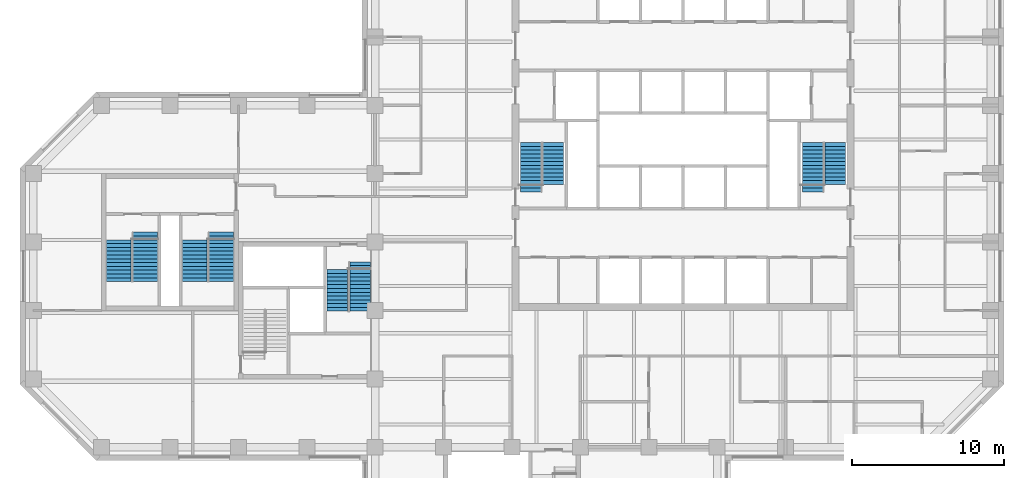
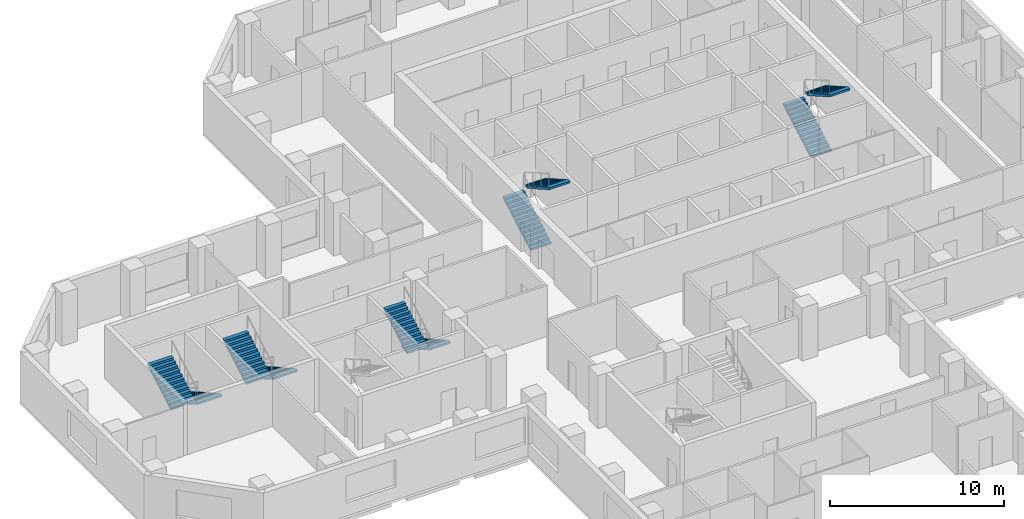
# One storey, part 10 of 11: 10 stair flights, 5 elements without a shape of their own.
"""IFC4 building model written with IfcOpenShell, lengths in metres."""

from ifc_helpers import new_model, si_unit, direction, frame, origin, place, context, subcontext, project, spatial, polyline, outline, extrude, material, type_object, element, aggregate, save


model = new_model("IFC4")

# Units and contexts
model_context = context("Model", 3, precision=1e-05, world=origin(), true_north=direction((0.0, 1.0)))
body_context = subcontext(model_context, "Body", "Model", "MODEL_VIEW")
ifc_project = project(units=[si_unit("LENGTHUNIT", "METRE"), si_unit("AREAUNIT", "SQUARE_METRE"), si_unit("VOLUMEUNIT", "CUBIC_METRE"), si_unit("PLANEANGLEUNIT", "RADIAN"), si_unit("MASSUNIT", "GRAM", prefix="KILO")], contexts=[model_context])

# Site, building, storey
site_placement = place(None, origin())
site = spatial("IfcSite", under=ifc_project, at=site_placement, CompositionType="ELEMENT")
building_placement = place(site_placement, origin())
building = spatial("IfcBuilding", under=site, at=building_placement, Name="Quoin Convention Tower", CompositionType="ELEMENT")
storey_placement = place(building_placement, frame((0.0, 0.0, 130.699951171875)))
storey = spatial("IfcBuildingStorey", under=building, at=storey_placement, Name="L34", CompositionType="ELEMENT", Elevation=130.699951171875)

# Stair, stair flights
ifc_material = material(Name="Concrete C40", Category="concrete")
stair_type_1 = type_object("IfcStairType", Name="Exit stair two-flight 1350", PredefinedType="HALF_TURN_STAIR", material=ifc_material)
stair_1_placement = place(storey_placement, origin())
stair_1 = element("IfcStair", 1, at=stair_1_placement, inside=storey, type_object=stair_type_1, Name="SD1 L34", PredefinedType="HALF_TURN_STAIR")
stair_flight_type_1 = type_object("IfcStairFlightType", Name="Stair flight 1350", PredefinedType="STRAIGHT", material=ifc_material)
stair_flight_1_placement = place(storey_placement, frame((46.22509765625, 57.300048828125, 0.0), z_axis=(0.0, 0.0, 1.0), x_axis=(0.0, 1.0, 0.0)))
stair_flight_1 = element("IfcStairFlight", 2, at=stair_flight_1_placement, type_object=stair_flight_type_1, Name="ST1 flight 1", NumberOfRisers=14, NumberOfTreads=13, PredefinedType="STRAIGHT", RiserHeight=0.142307692, TreadLength=0.25, context=body_context, shape_type="SweptSolid", body=[
    extrude(outline(polyline([(0.0, 0.0), (0.0, 0.142333984375), (0.25, 0.142333984375), (0.25, 0.28466796875), (0.5, 0.28466796875), (0.5, 0.427001953125), (0.75, 0.427001953125), (0.75, 0.5693359375), (1.0, 0.5693359375), (1.0, 0.71142578125), (1.25, 0.71142578125), (1.25, 0.853759765625), (1.5, 0.853759765625), (1.5, 0.99609375), (1.75, 0.99609375), (1.75, 1.138427734375), (2.0, 1.138427734375), (2.0, 1.28076171875), (2.25, 1.28076171875), (2.25, 1.423095703125), (2.5, 1.423095703125), (2.5, 1.5654296875), (2.75, 1.5654296875), (2.75, 1.707763671875), (3.0, 1.707763671875), (3.0, 1.85009765625), (3.25, 1.85009765625), (3.25, 1.9921875), (3.25, 1.711669921875), (0.242919921875, 0.0), (0.0, 0.0)])), frame((0.0, 0.675048828125, 0.0), z_axis=(0.0, -1.0, 0.0), x_axis=(1.0, 0.0, 0.0)), (0.0, 0.0, 1.0), 1.35009765625),
])
stair_flight_2_placement = place(storey_placement, frame((47.72509765625, 60.550048828125, 1.992431640625), z_axis=(0.0, 0.0, 1.0), x_axis=(0.0, -1.0, 0.0)))
stair_flight_2 = element("IfcStairFlight", 3, at=stair_flight_2_placement, type_object=stair_flight_type_1, Name="ST1 flight 2", NumberOfRisers=12, NumberOfTreads=11, PredefinedType="STRAIGHT", RiserHeight=0.142307692, TreadLength=0.25, context=body_context, shape_type="SweptSolid", body=[
    extrude(outline(polyline([(0.0, 0.0), (0.0, 0.142333984375), (0.25, 0.142333984375), (0.25, 0.28466796875), (0.5, 0.28466796875), (0.5, 0.427001953125), (0.75, 0.427001953125), (0.75, 0.5693359375), (1.0, 0.5693359375), (1.0, 0.71142578125), (1.25, 0.71142578125), (1.25, 0.853759765625), (1.5, 0.853759765625), (1.5, 0.99609375), (1.75, 0.99609375), (1.75, 1.138427734375), (2.0, 1.138427734375), (2.0, 1.28076171875), (2.25, 1.28076171875), (2.25, 1.423095703125), (2.5, 1.423095703125), (2.5, 1.5654296875), (2.75, 1.5654296875), (2.75, 1.707763671875), (2.75, 1.42724609375), (0.242919921875, 0.0), (0.0, 0.0)])), frame((0.0, 0.675048828125, 0.0), z_axis=(0.0, -1.0, 0.0), x_axis=(1.0, 0.0, 0.0)), (0.0, 0.0, 1.0), 1.35009765625),
])
aggregate(stair_1, [stair_flight_1, stair_flight_2])

stair_2_placement = place(storey_placement, origin())
stair_2 = element("IfcStair", 4, at=stair_2_placement, inside=storey, type_object=stair_type_1, Name="SD2 L34", PredefinedType="HALF_TURN_STAIR")
stair_flight_3_placement = place(storey_placement, frame((64.77490234375, 57.300048828125, 0.0), z_axis=(0.0, 0.0, 1.0), x_axis=(0.0, 1.0, 0.0)))
stair_flight_3 = element("IfcStairFlight", 5, at=stair_flight_3_placement, type_object=stair_flight_type_1, Name="ST2 flight 1", NumberOfRisers=14, NumberOfTreads=13, PredefinedType="STRAIGHT", RiserHeight=0.142307692, TreadLength=0.25, context=body_context, shape_type="SweptSolid", body=[
    extrude(outline(polyline([(0.0, 0.0), (0.0, 0.142333984375), (0.25, 0.142333984375), (0.25, 0.28466796875), (0.5, 0.28466796875), (0.5, 0.427001953125), (0.75, 0.427001953125), (0.75, 0.5693359375), (1.0, 0.5693359375), (1.0, 0.71142578125), (1.25, 0.71142578125), (1.25, 0.853759765625), (1.5, 0.853759765625), (1.5, 0.99609375), (1.75, 0.99609375), (1.75, 1.138427734375), (2.0, 1.138427734375), (2.0, 1.28076171875), (2.25, 1.28076171875), (2.25, 1.423095703125), (2.5, 1.423095703125), (2.5, 1.5654296875), (2.75, 1.5654296875), (2.75, 1.707763671875), (3.0, 1.707763671875), (3.0, 1.85009765625), (3.25, 1.85009765625), (3.25, 1.9921875), (3.25, 1.711669921875), (0.242919921875, 0.0), (0.0, 0.0)])), frame((0.0, 0.675048828125, 0.0), z_axis=(0.0, -1.0, 0.0), x_axis=(1.0, 0.0, 0.0)), (0.0, 0.0, 1.0), 1.35009765625),
])
stair_flight_4_placement = place(storey_placement, frame((66.27490234375, 60.550048828125, 1.992431640625), z_axis=(0.0, 0.0, 1.0), x_axis=(0.0, -1.0, 0.0)))
stair_flight_4 = element("IfcStairFlight", 6, at=stair_flight_4_placement, type_object=stair_flight_type_1, Name="ST2 flight 2", NumberOfRisers=12, NumberOfTreads=11, PredefinedType="STRAIGHT", RiserHeight=0.142307692, TreadLength=0.25, context=body_context, shape_type="SweptSolid", body=[
    extrude(outline(polyline([(0.0, 0.0), (0.0, 0.142333984375), (0.25, 0.142333984375), (0.25, 0.28466796875), (0.5, 0.28466796875), (0.5, 0.427001953125), (0.75, 0.427001953125), (0.75, 0.5693359375), (1.0, 0.5693359375), (1.0, 0.71142578125), (1.25, 0.71142578125), (1.25, 0.853759765625), (1.5, 0.853759765625), (1.5, 0.99609375), (1.75, 0.99609375), (1.75, 1.138427734375), (2.0, 1.138427734375), (2.0, 1.28076171875), (2.25, 1.28076171875), (2.25, 1.423095703125), (2.5, 1.423095703125), (2.5, 1.5654296875), (2.75, 1.5654296875), (2.75, 1.707763671875), (2.75, 1.42724609375), (0.242919921875, 0.0), (0.0, 0.0)])), frame((0.0, 0.675048828125, 0.0), z_axis=(0.0, -1.0, 0.0), x_axis=(1.0, 0.0, 0.0)), (0.0, 0.0, 1.0), 1.35009765625),
])
aggregate(stair_2, [stair_flight_3, stair_flight_4])

stair_3_placement = place(storey_placement, origin())
stair_3 = element("IfcStair", 7, at=stair_3_placement, inside=storey, type_object=stair_type_1, Name="SD4 L34", PredefinedType="HALF_TURN_STAIR")
stair_flight_5_placement = place(storey_placement, frame((35.0, 52.699951171875, 0.0), z_axis=(0.0, 0.0, 1.0), x_axis=(0.0, -1.0, 0.0)))
stair_flight_5 = element("IfcStairFlight", 8, at=stair_flight_5_placement, type_object=stair_flight_type_1, Name="ST4 flight 1", NumberOfRisers=14, NumberOfTreads=13, PredefinedType="STRAIGHT", RiserHeight=0.142307692, TreadLength=0.25, context=body_context, shape_type="SweptSolid", body=[
    extrude(outline(polyline([(0.0, 0.0), (0.0, 0.142333984375), (0.25, 0.142333984375), (0.25, 0.28466796875), (0.5, 0.28466796875), (0.5, 0.427001953125), (0.75, 0.427001953125), (0.75, 0.5693359375), (1.0, 0.5693359375), (1.0, 0.71142578125), (1.25, 0.71142578125), (1.25, 0.853759765625), (1.5, 0.853759765625), (1.5, 0.99609375), (1.75, 0.99609375), (1.75, 1.138427734375), (2.0, 1.138427734375), (2.0, 1.28076171875), (2.25, 1.28076171875), (2.25, 1.423095703125), (2.5, 1.423095703125), (2.5, 1.5654296875), (2.75, 1.5654296875), (2.75, 1.707763671875), (3.0, 1.707763671875), (3.0, 1.85009765625), (3.25, 1.85009765625), (3.25, 1.9921875), (3.25, 1.711669921875), (0.242919921875, 0.0), (0.0, 0.0)])), frame((0.0, 0.675048828125, 0.0), z_axis=(0.0, -1.0, 0.0), x_axis=(1.0, 0.0, 0.0)), (0.0, 0.0, 1.0), 1.35009765625),
])
stair_flight_6_placement = place(storey_placement, frame((33.5, 49.449951171875, 1.992431640625), z_axis=(0.0, 0.0, 1.0), x_axis=(0.0, 1.0, 0.0)))
stair_flight_6 = element("IfcStairFlight", 9, at=stair_flight_6_placement, type_object=stair_flight_type_1, Name="ST4 flight 2", NumberOfRisers=12, NumberOfTreads=11, PredefinedType="STRAIGHT", RiserHeight=0.142307692, TreadLength=0.25, context=body_context, shape_type="SweptSolid", body=[
    extrude(outline(polyline([(0.0, 0.0), (0.0, 0.142333984375), (0.25, 0.142333984375), (0.25, 0.28466796875), (0.5, 0.28466796875), (0.5, 0.427001953125), (0.75, 0.427001953125), (0.75, 0.5693359375), (1.0, 0.5693359375), (1.0, 0.71142578125), (1.25, 0.71142578125), (1.25, 0.853759765625), (1.5, 0.853759765625), (1.5, 0.99609375), (1.75, 0.99609375), (1.75, 1.138427734375), (2.0, 1.138427734375), (2.0, 1.28076171875), (2.25, 1.28076171875), (2.25, 1.423095703125), (2.5, 1.423095703125), (2.5, 1.5654296875), (2.75, 1.5654296875), (2.75, 1.707763671875), (2.75, 1.42724609375), (0.242919921875, 0.0), (0.0, 0.0)])), frame((0.0, 0.675048828125, 0.0), z_axis=(0.0, -1.0, 0.0), x_axis=(1.0, 0.0, 0.0)), (0.0, 0.0, 1.0), 1.35009765625),
])
aggregate(stair_3, [stair_flight_5, stair_flight_6])

stair_type_2 = type_object("IfcStairType", Name="Exit stair two-flight 1600", PredefinedType="HALF_TURN_STAIR", material=ifc_material)
stair_4_placement = place(storey_placement, origin())
stair_4 = element("IfcStair", 10, at=stair_4_placement, inside=storey, type_object=stair_type_2, Name="SD11 L34", PredefinedType="HALF_TURN_STAIR")
stair_flight_type_2 = type_object("IfcStairFlightType", Name="Stair flight 1600", PredefinedType="STRAIGHT", material=ifc_material)
stair_flight_7_placement = place(storey_placement, frame((20.875, 54.64990234375, 0.0), z_axis=(0.0, 0.0, 1.0), x_axis=(0.0, -1.0, 0.0)))
stair_flight_7 = element("IfcStairFlight", 11, at=stair_flight_7_placement, type_object=stair_flight_type_2, Name="ST11 flight 1", NumberOfRisers=14, NumberOfTreads=13, PredefinedType="STRAIGHT", RiserHeight=0.142307692, TreadLength=0.25, context=body_context, shape_type="SweptSolid", body=[
    extrude(outline(polyline([(0.0, 0.0), (0.0, 0.142333984375), (0.25, 0.142333984375), (0.25, 0.28466796875), (0.5, 0.28466796875), (0.5, 0.427001953125), (0.75, 0.427001953125), (0.75, 0.5693359375), (1.0, 0.5693359375), (1.0, 0.71142578125), (1.25, 0.71142578125), (1.25, 0.853759765625), (1.5, 0.853759765625), (1.5, 0.99609375), (1.75, 0.99609375), (1.75, 1.138427734375), (2.0, 1.138427734375), (2.0, 1.28076171875), (2.25, 1.28076171875), (2.25, 1.423095703125), (2.5, 1.423095703125), (2.5, 1.5654296875), (2.75, 1.5654296875), (2.75, 1.707763671875), (3.0, 1.707763671875), (3.0, 1.85009765625), (3.25, 1.85009765625), (3.25, 1.9921875), (3.25, 1.711669921875), (0.242919921875, 0.0), (0.0, 0.0)])), frame((0.0, 0.800048828125, 0.0), z_axis=(0.0, -1.0, 0.0), x_axis=(1.0, 0.0, 0.0)), (0.0, 0.0, 1.0), 1.60009765625),
])
stair_flight_8_placement = place(storey_placement, frame((19.125, 51.39990234375, 1.992431640625), z_axis=(0.0, 0.0, 1.0), x_axis=(0.0, 1.0, 0.0)))
stair_flight_8 = element("IfcStairFlight", 12, at=stair_flight_8_placement, type_object=stair_flight_type_2, Name="ST11 flight 2", NumberOfRisers=12, NumberOfTreads=11, PredefinedType="STRAIGHT", RiserHeight=0.142307692, TreadLength=0.25, context=body_context, shape_type="SweptSolid", body=[
    extrude(outline(polyline([(0.0, 0.0), (0.0, 0.142333984375), (0.25, 0.142333984375), (0.25, 0.28466796875), (0.5, 0.28466796875), (0.5, 0.427001953125), (0.75, 0.427001953125), (0.75, 0.5693359375), (1.0, 0.5693359375), (1.0, 0.71142578125), (1.25, 0.71142578125), (1.25, 0.853759765625), (1.5, 0.853759765625), (1.5, 0.99609375), (1.75, 0.99609375), (1.75, 1.138427734375), (2.0, 1.138427734375), (2.0, 1.28076171875), (2.25, 1.28076171875), (2.25, 1.423095703125), (2.5, 1.423095703125), (2.5, 1.5654296875), (2.75, 1.5654296875), (2.75, 1.707763671875), (2.75, 1.42724609375), (0.242919921875, 0.0), (0.0, 0.0)])), frame((0.0, 0.800048828125, 0.0), z_axis=(0.0, -1.0, 0.0), x_axis=(1.0, 0.0, 0.0)), (0.0, 0.0, 1.0), 1.60009765625),
])
aggregate(stair_4, [stair_flight_7, stair_flight_8])

stair_5_placement = place(storey_placement, origin())
stair_5 = element("IfcStair", 13, at=stair_5_placement, inside=storey, type_object=stair_type_2, Name="SD12 L34", PredefinedType="HALF_TURN_STAIR")
stair_flight_9_placement = place(storey_placement, frame((25.875, 54.64990234375, 0.0), z_axis=(0.0, 0.0, 1.0), x_axis=(0.0, -1.0, 0.0)))
stair_flight_9 = element("IfcStairFlight", 14, at=stair_flight_9_placement, type_object=stair_flight_type_2, Name="ST12 flight 1", NumberOfRisers=14, NumberOfTreads=13, PredefinedType="STRAIGHT", RiserHeight=0.142307692, TreadLength=0.25, context=body_context, shape_type="SweptSolid", body=[
    extrude(outline(polyline([(0.0, 0.0), (0.0, 0.142333984375), (0.25, 0.142333984375), (0.25, 0.28466796875), (0.5, 0.28466796875), (0.5, 0.427001953125), (0.75, 0.427001953125), (0.75, 0.5693359375), (1.0, 0.5693359375), (1.0, 0.71142578125), (1.25, 0.71142578125), (1.25, 0.853759765625), (1.5, 0.853759765625), (1.5, 0.99609375), (1.75, 0.99609375), (1.75, 1.138427734375), (2.0, 1.138427734375), (2.0, 1.28076171875), (2.25, 1.28076171875), (2.25, 1.423095703125), (2.5, 1.423095703125), (2.5, 1.5654296875), (2.75, 1.5654296875), (2.75, 1.707763671875), (3.0, 1.707763671875), (3.0, 1.85009765625), (3.25, 1.85009765625), (3.25, 1.9921875), (3.25, 1.711669921875), (0.242919921875, 0.0), (0.0, 0.0)])), frame((0.0, 0.800048828125, 0.0), z_axis=(0.0, -1.0, 0.0), x_axis=(1.0, 0.0, 0.0)), (0.0, 0.0, 1.0), 1.60009765625),
])
stair_flight_10_placement = place(storey_placement, frame((24.125, 51.39990234375, 1.992431640625), z_axis=(0.0, 0.0, 1.0), x_axis=(0.0, 1.0, 0.0)))
stair_flight_10 = element("IfcStairFlight", 15, at=stair_flight_10_placement, type_object=stair_flight_type_2, Name="ST12 flight 2", NumberOfRisers=12, NumberOfTreads=11, PredefinedType="STRAIGHT", RiserHeight=0.142307692, TreadLength=0.25, context=body_context, shape_type="SweptSolid", body=[
    extrude(outline(polyline([(0.0, 0.0), (0.0, 0.142333984375), (0.25, 0.142333984375), (0.25, 0.28466796875), (0.5, 0.28466796875), (0.5, 0.427001953125), (0.75, 0.427001953125), (0.75, 0.5693359375), (1.0, 0.5693359375), (1.0, 0.71142578125), (1.25, 0.71142578125), (1.25, 0.853759765625), (1.5, 0.853759765625), (1.5, 0.99609375), (1.75, 0.99609375), (1.75, 1.138427734375), (2.0, 1.138427734375), (2.0, 1.28076171875), (2.25, 1.28076171875), (2.25, 1.423095703125), (2.5, 1.423095703125), (2.5, 1.5654296875), (2.75, 1.5654296875), (2.75, 1.707763671875), (2.75, 1.42724609375), (0.242919921875, 0.0), (0.0, 0.0)])), frame((0.0, 0.800048828125, 0.0), z_axis=(0.0, -1.0, 0.0), x_axis=(1.0, 0.0, 0.0)), (0.0, 0.0, 1.0), 1.60009765625),
])
aggregate(stair_5, [stair_flight_9, stair_flight_10])

save(model, "model.ifc")
